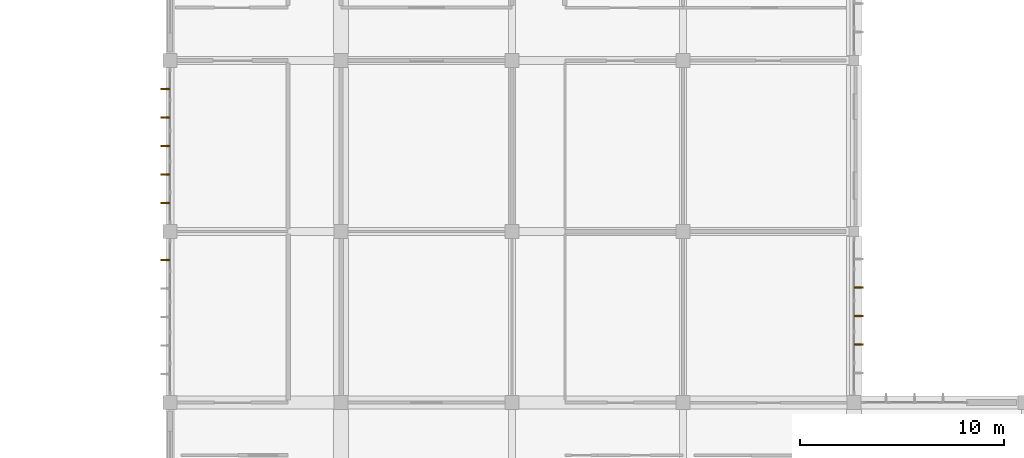
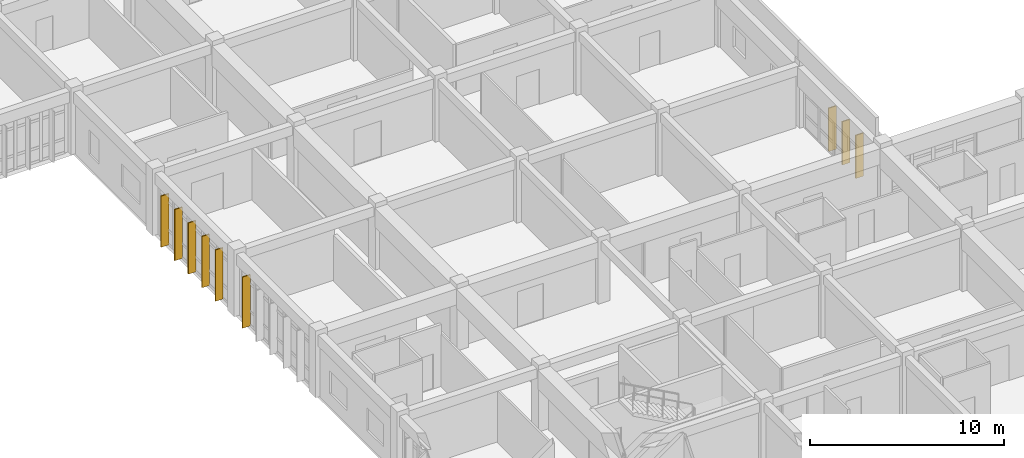
# One storey, part 105 of 119: 9 shading devices.
"""IFC4 building model written with IfcOpenShell, lengths in metres."""

import ifcopenshell
import ifcopenshell.guid

model = None  # the IFC model being written
_history = None  # IfcOwnerHistory: only IFC2X3 demands one
_inside = {}  # id of a spatial element -> (the spatial element, [elements in it])
_under = {}  # id of a project, library or spatial element -> (it, [spatial elements below it])
_declared = {}  # id of a project -> (the project, [libraries it declares])
_typed = {}  # id of a type object -> (the type object, [elements of that type])
_made_of = {}  # id of a material, layer set ... -> (it, [elements and type objects made of it])


def new_model(schema):
    """Start an empty IFC model of exactly this schema.

    Asked for "IFC4X3", IfcOpenShell would pick the latest addendum, in which some entities
    have other attributes; the version numbers below select the first issue.
    IFC2X3 requires an IfcOwnerHistory on every rooted entity: one is made here for all.
    """
    global model, _history
    if schema == "IFC4X3":
        model = ifcopenshell.file(schema_version=(4, 3, 0, 0))
    else:
        model = ifcopenshell.file(schema=schema)
    _inside.clear()
    _under.clear()
    _declared.clear()
    _typed.clear()
    _made_of.clear()
    _history = None
    if model.schema == "IFC2X3":
        org = make("IfcOrganization", Name="unknown")
        user = make(
            "IfcPersonAndOrganization",
            ThePerson=make("IfcPerson", FamilyName="unknown"),
            TheOrganization=org,
        )
        app = make(
            "IfcApplication",
            ApplicationDeveloper=org,
            Version="unknown",
            ApplicationFullName="unknown",
            ApplicationIdentifier="unknown",
        )
        _history = make(
            "IfcOwnerHistory",
            OwningUser=user,
            OwningApplication=app,
            ChangeAction="ADDED",
            CreationDate=0,
        )
    return model


def make(cls, **values):
    """One entity of the class cls with the attributes given. An attribute that is None is left unset."""
    return model.create_entity(
        cls, **{name: value for name, value in values.items() if value is not None}
    )


def rooted(cls, **values):
    """An entity with a GlobalId (a new one), such as an element, a storey or a relation."""
    return make(cls, GlobalId=ifcopenshell.guid.new(), OwnerHistory=_history, **values)


def si_unit(unit_type, name, prefix=None):
    """IfcSIUnit, for example si_unit("LENGTHUNIT", "METRE", prefix="MILLI")."""
    return make("IfcSIUnit", UnitType=unit_type, Prefix=prefix, Name=name)


def assignment(units):
    """IfcUnitAssignment: the units of a project."""
    return None if units is None else make("IfcUnitAssignment", Units=units)


def point(xyz):
    """IfcCartesianPoint."""
    return None if xyz is None else make("IfcCartesianPoint", Coordinates=xyz)


def direction(xyz):
    """IfcDirection."""
    return None if xyz is None else make("IfcDirection", DirectionRatios=xyz)


def frame(location, z_axis=None, x_axis=None):
    """IfcAxis2Placement3D, a coordinate frame: its origin and axes. An axis left out is left unset."""
    return make(
        "IfcAxis2Placement3D",
        Location=point(location),
        Axis=direction(z_axis),
        RefDirection=direction(x_axis),
    )


def frame_2d(location, x_axis=None):
    """IfcAxis2Placement2D, a coordinate frame in the plane: its origin and x axis."""
    return make(
        "IfcAxis2Placement2D", Location=point(location), RefDirection=direction(x_axis)
    )


def origin():
    """The frame at (0, 0, 0) with its axes left unset."""
    return frame((0.0, 0.0, 0.0))


def origin_2d():
    """The frame at (0, 0) in the plane with its x axis left unset."""
    return frame_2d((0.0, 0.0))


def place(relative_to, where):
    """IfcLocalPlacement: puts the frame where relative to a parent placement (None: the world)."""
    return make(
        "IfcLocalPlacement", PlacementRelTo=relative_to, RelativePlacement=where
    )


def context(
    kind, dimensions, precision=None, world=None, true_north=None, identifier=None
):
    """IfcGeometricRepresentationContext, for example the 3D "Model" context."""
    return make(
        "IfcGeometricRepresentationContext",
        ContextIdentifier=identifier,
        ContextType=kind,
        CoordinateSpaceDimension=dimensions,
        Precision=precision,
        WorldCoordinateSystem=world,
        TrueNorth=true_north,
    )


def subcontext(parent, identifier, kind, view, scale=None):
    """IfcGeometricRepresentationSubContext, for example "Body" below "Model"."""
    return make(
        "IfcGeometricRepresentationSubContext",
        ContextIdentifier=identifier,
        ContextType=kind,
        ParentContext=parent,
        TargetScale=scale,
        TargetView=view,
    )


def project(units=None, contexts=None):
    """IfcProject with its units and contexts."""
    return rooted(
        "IfcProject",
        Name="project",
        RepresentationContexts=contexts,
        UnitsInContext=assignment(units),
    )


def spatial(cls, under=None, at=None, **own):
    """A site, building, storey or space (cls), placed at a placement, below another one or the project."""
    s = rooted(cls, ObjectPlacement=at, **own)
    if under is not None:
        _under.setdefault(under.id(), (under, []))[1].append(s)
    return s


def profile(cls, at=None, kind="AREA", **sizes):
    """A parametric profile (cls). Its sizes go by their IFC names, for example OverallWidth=200.0."""
    return make(cls, ProfileType=kind, Position=at, **sizes)


def rectangle(**sizes):
    """IfcRectangleProfileDef."""
    return profile("IfcRectangleProfileDef", **sizes)


def extrude(swept, where, along, depth):
    """IfcExtrudedAreaSolid: the profile swept, set in the frame where, extruded along a direction by depth."""
    return make(
        "IfcExtrudedAreaSolid",
        SweptArea=swept,
        Position=where,
        ExtrudedDirection=direction(along),
        Depth=depth,
    )


def shape(context_of_items, identifier, shape_type, items):
    """IfcShapeRepresentation: the items that make up one representation, for example the "Body"."""
    return make(
        "IfcShapeRepresentation",
        ContextOfItems=context_of_items,
        RepresentationIdentifier=identifier,
        RepresentationType=shape_type,
        Items=items,
    )


def material(Name=None, Category=None):
    """IfcMaterial."""
    return make("IfcMaterial", Name=Name, Category=Category)


def material_profile(
    of_material, cross_section, Name=None, Category=None, Priority=None
):
    """IfcMaterialProfile: a cross section and its material."""
    return make(
        "IfcMaterialProfile",
        Name=Name,
        Material=of_material,
        Profile=cross_section,
        Priority=Priority,
        Category=Category,
    )


def profile_set(profiles, Name=None, composite=None):
    """IfcMaterialProfileSet."""
    return make(
        "IfcMaterialProfileSet",
        Name=Name,
        MaterialProfiles=profiles,
        CompositeProfile=composite,
    )


def made_of(thing, what):
    """Note that an element or type object is made of a material, layer set ...; save() writes the relation."""
    if what is not None:
        _made_of.setdefault(what.id(), (what, []))[1].append(thing)
    return thing


def type_object(cls, material=None, **own):
    """A type object (cls), such as IfcWallType, which elements share."""
    return made_of(rooted(cls, **own), material)


def element(
    cls,
    number,
    at=None,
    inside=None,
    cuts=None,
    type_object=None,
    material=None,
    context=None,
    identifier="Body",
    shape_type=None,
    held_by="IfcProductDefinitionShape",
    body=None,
    shapes=None,
    **own,
):
    """One element of the class cls, such as IfcWall. Its Tag is "e" and its number.

    at: its placement. inside: the storey or other place that contains it. cuts: it is an
    opening in that element (IfcRelVoidsElement). A single representation is given by context,
    identifier, shape_type and body (its items); several are given by shapes. held_by: the class
    of the entity that holds the representations. save() writes the other relations.
    """
    e = rooted(cls, Tag="e%d" % number, ObjectPlacement=at, **own)
    if body is not None:
        shapes = [shape(context, identifier, shape_type, body)]
    if shapes is not None:
        e.Representation = make(held_by, Representations=shapes)
    if inside is not None:
        _inside.setdefault(inside.id(), (inside, []))[1].append(e)
    if cuts is not None:
        rooted(
            "IfcRelVoidsElement", RelatingBuildingElement=cuts, RelatedOpeningElement=e
        )
    if type_object is not None:
        _typed.setdefault(type_object.id(), (type_object, []))[1].append(e)
    return made_of(e, material)


def aggregate(whole, parts):
    """IfcRelAggregates: a whole, such as a stair, and the parts it consists of."""
    return rooted("IfcRelAggregates", RelatingObject=whole, RelatedObjects=parts)


def save(model, path):
    """Write the relations noted so far, then the file.

    IfcRelAggregates (storeys below a building ...), IfcRelContainedInSpatialStructure (elements
    in a storey), IfcRelDefinesByType, IfcRelAssociatesMaterial and IfcRelDeclares: one each for
    every whole, place, type object, material and project.
    """
    for whole, parts in _under.values():
        aggregate(whole, parts)
    for where, things in _inside.values():
        rooted(
            "IfcRelContainedInSpatialStructure",
            RelatedElements=things,
            RelatingStructure=where,
        )
    for kind, things in _typed.values():
        rooted("IfcRelDefinesByType", RelatedObjects=things, RelatingType=kind)
    for what, things in _made_of.values():
        rooted("IfcRelAssociatesMaterial", RelatedObjects=things, RelatingMaterial=what)
    for by, libraries in _declared.values():
        rooted("IfcRelDeclares", RelatingContext=by, RelatedDefinitions=libraries)
    model.write(path)


model = new_model("IFC4")

# Units and contexts
model_context = context("Model", 3, precision=1e-05, world=origin(), true_north=direction((0.0, 1.0)))
body_context = subcontext(model_context, "Body", "Model", "MODEL_VIEW")
ifc_project = project(units=[si_unit("LENGTHUNIT", "METRE"), si_unit("AREAUNIT", "SQUARE_METRE"), si_unit("VOLUMEUNIT", "CUBIC_METRE"), si_unit("PLANEANGLEUNIT", "RADIAN"), si_unit("MASSUNIT", "GRAM", prefix="KILO")], contexts=[model_context])

# Site, building, storey
site_placement = place(None, origin())
site = spatial("IfcSite", under=ifc_project, at=site_placement, CompositionType="ELEMENT")
building_placement = place(site_placement, origin())
building = spatial("IfcBuilding", under=site, at=building_placement, Name="Bramfleet General Hospital", CompositionType="ELEMENT")
storey_placement = place(building_placement, frame((0.0, 0.0, 14.39990234375)))
storey = spatial("IfcBuildingStorey", under=building, at=storey_placement, Name="L03", CompositionType="ELEMENT", Elevation=14.39990234375)

# Shading devices
ifc_material = material(Name="Treated European larch timber", Category="wood")
ifc_material_profile = material_profile(ifc_material, rectangle(XDim=0.06494140625, YDim=0.449951171875, at=origin_2d()), Name="LARCH FIN 450x65")
ifc_profile_set = profile_set([ifc_material_profile], Name="Treated European larch timber")
shading_device_type = type_object("IfcShadingDeviceType", Name="SHD-FIN-450", PredefinedType="USERDEFINED", material=ifc_profile_set)
for number, where, z_axis, x_axis, name in (
    (1, (126.239990234375, 30.85009765625, -0.02001953125), (0.0, 0.0, 1.0), (0.0, -1.0, 0.0), "L03 Larch Timber Shading Fin 601"),
    (2, (126.239990234375, 29.449951171875, -0.02001953125), (0.0, 0.0, 1.0), (0.0, -1.0, 0.0), "L03 Larch Timber Shading Fin 602"),
    (3, (126.239990234375, 28.050048828125, -0.02001953125), (0.0, 0.0, 1.0), (0.0, -1.0, 0.0), "L03 Larch Timber Shading Fin 603"),
):
    element("IfcShadingDevice", number, at=place(storey_placement, frame(where, z_axis=z_axis, x_axis=x_axis)), inside=storey, type_object=shading_device_type, Name=name, ObjectType="Fin", PredefinedType="USERDEFINED", context=body_context, shape_type="SweptSolid", body=[
        extrude(rectangle(XDim=0.06494140625, YDim=0.449951171875, at=origin_2d()), origin(), (0.0, 0.0, 1.0), 2.72021484375),
    ])
for number, where, z_axis, x_axis, name in (
    (4, (92.159912109375, 32.199951171875, -0.02001953125), (0.0, 0.0, 1.0), (0.0, 1.0, 0.0), "L03 Larch Timber Shading Fin 671"),
    (5, (92.159912109375, 35.0, -0.02001953125), (0.0, 0.0, 1.0), (0.0, 1.0, 0.0), "L03 Larch Timber Shading Fin 672"),
    (6, (92.159912109375, 36.39990234375, -0.02001953125), (0.0, 0.0, 1.0), (0.0, 1.0, 0.0), "L03 Larch Timber Shading Fin 673"),
    (7, (92.159912109375, 37.800048828125, -0.02001953125), (0.0, 0.0, 1.0), (0.0, 1.0, 0.0), "L03 Larch Timber Shading Fin 674"),
    (8, (92.159912109375, 39.199951171875, -0.02001953125), (0.0, 0.0, 1.0), (0.0, 1.0, 0.0), "L03 Larch Timber Shading Fin 675"),
    (9, (92.159912109375, 40.60009765625, -0.02001953125), (0.0, 0.0, 1.0), (0.0, 1.0, 0.0), "L03 Larch Timber Shading Fin 676"),
):
    element("IfcShadingDevice", number, at=place(storey_placement, frame(where, z_axis=z_axis, x_axis=x_axis)), inside=storey, type_object=shading_device_type, Name=name, ObjectType="Fin", PredefinedType="USERDEFINED", context=body_context, shape_type="SweptSolid", body=[
        extrude(rectangle(XDim=0.06494140625, YDim=0.449951171875, at=origin_2d()), origin(), (0.0, 0.0, 1.0), 3.22021484375),
    ])

save(model, "model.ifc")
